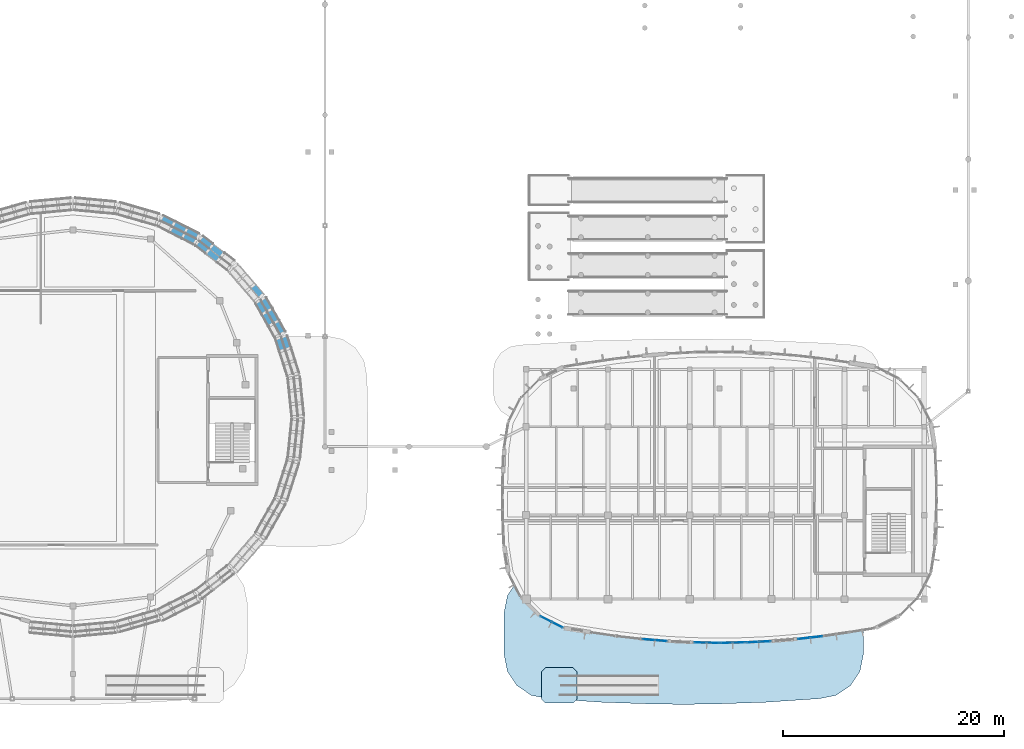
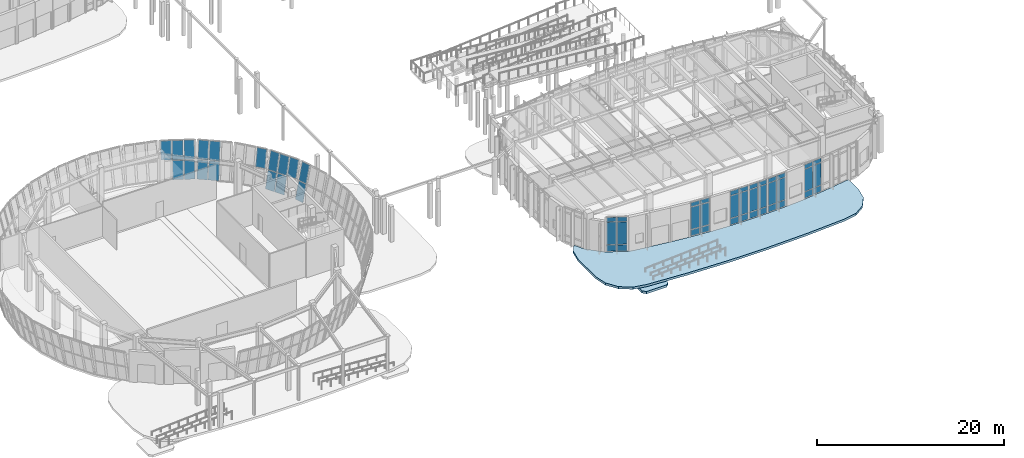
# One storey, part 70 of 120: 53 plates, 2 slabs, 11 elements without a shape of their own.
"""IFC4 building model written with IfcOpenShell, lengths in metres."""

from ifc_helpers import new_model, si_unit, direction, frame, origin, origin_2d, place, context, subcontext, project, spatial, polyline, rectangle, outline, extrude, material, layer, layer_set, type_object, element, aggregate, save


model = new_model("IFC4")

# Units and contexts
model_context = context("Model", 3, precision=1e-05, world=origin(), true_north=direction((0.0, 1.0)))
body_context = subcontext(model_context, "Body", "Model", "MODEL_VIEW")
ifc_project = project(units=[si_unit("LENGTHUNIT", "METRE"), si_unit("AREAUNIT", "SQUARE_METRE"), si_unit("VOLUMEUNIT", "CUBIC_METRE"), si_unit("PLANEANGLEUNIT", "RADIAN"), si_unit("MASSUNIT", "GRAM", prefix="KILO")], contexts=[model_context])

# Site, building, storey
site_placement = place(None, origin())
site = spatial("IfcSite", under=ifc_project, at=site_placement, CompositionType="ELEMENT")
building_placement = place(site_placement, origin())
building = spatial("IfcBuilding", under=site, at=building_placement, Name="Corveleigh Park Community Centre", CompositionType="ELEMENT")
storey_placement = place(building_placement, origin())
storey = spatial("IfcBuildingStorey", under=building, at=storey_placement, Name="L00", CompositionType="ELEMENT", Elevation=0.0)

# Curtain wall, plates
ifc_material_1 = material(Name="Anodised aluminium 6063-T6", Category="aluminium")
curtain_wall_type_1 = type_object("IfcCurtainWallType", Name="CW-SYS-V1-L00", PredefinedType="NOTDEFINED", material=ifc_material_1)
curtain_wall_1_placement = place(storey_placement, origin())
curtain_wall_1 = element("IfcCurtainWall", 1, at=curtain_wall_1_placement, inside=storey, type_object=curtain_wall_type_1, Name="Main Hall Flared Drum CW 2", PredefinedType="NOTDEFINED")
ifc_material_2 = material(Name="Low-E double glazing", Category="glass")
ifc_layer_1 = layer(ifc_material_2, 0.028076171875, Name="Low-E double glazing", Category="glass")
ifc_layer_set_1 = layer_set([ifc_layer_1], Name="Low-E double glazing")
plate_type_1 = type_object("IfcPlateType", Name="CWP-GLZ-28", PredefinedType="CURTAIN_PANEL", material=ifc_layer_set_1)
plate_1_placement = place(storey_placement, frame((49.677001953125, 33.654541015625, 0.074951171875), z_axis=(-0.9242321555, -0.295434433899, 0.241895469173), x_axis=(-0.3044785768, 0.952519184167, -7.959586e-06)))
plate_1 = element("IfcPlate", 2, at=plate_1_placement, type_object=plate_type_1, Name="CW01 panel 3.1", PredefinedType="CURTAIN_PANEL", context=body_context, shape_type="SweptSolid", body=[
    extrude(outline(polyline([(0.0, 0.0), (1.09599468896104, 0.0), (1.0960788222939768, -2.2028803433789186), (-0.0001484152960102378, -2.202862360140468), (0.0, 0.0)])), origin(), (0.0, 0.0, -1.0), 0.028076171875),
])
plate_2_placement = place(storey_placement, frame((50.202392578125, 33.822509765625, 2.28759765625), z_axis=(-0.924221498211, -0.295431027255, 0.241940344671), x_axis=(-0.304478577502, 0.952519183943, -7.96097e-06)))
plate_2 = element("IfcPlate", 3, at=plate_2_placement, type_object=plate_type_1, Name="CW01 panel 3.2", PredefinedType="CURTAIN_PANEL", context=body_context, shape_type="SweptSolid", body=[
    extrude(outline(polyline([(0.0, 0.0), (1.0959946889610537, 0.0), (1.096116891138423, -2.2152349234612396), (-0.00011034645152312231, -2.2152169368866095), (0.0, 0.0)])), origin(), (0.0, 0.0, -1.0), 0.028076171875),
])
aggregate(curtain_wall_1, [plate_1, plate_2])

curtain_wall_2_placement = place(storey_placement, origin())
curtain_wall_2 = element("IfcCurtainWall", 4, at=curtain_wall_2_placement, inside=storey, type_object=curtain_wall_type_1, Name="Main Hall Flared Drum CW 3", PredefinedType="NOTDEFINED")
plate_3_placement = place(storey_placement, frame((49.73779296875, 35.16650390625, 2.28759765625), z_axis=(-0.845514383224, -0.475990108823, 0.241948019345), x_axis=(-0.490565186833, 0.871404497043, 0.0)))
plate_3 = element("IfcPlate", 5, at=plate_3_placement, type_object=plate_type_1, Name="CW01 panel 1.2", PredefinedType="CURTAIN_PANEL", context=body_context, shape_type="SweptSolid", body=[
    extrude(outline(polyline([(0.0, 0.0), (1.1058274890071589, -1.3877787807814457e-17), (1.1058400478215948, -2.21523029913387), (1.255881443598672e-05, -2.21523029913387), (0.0, 0.0)])), origin(), (0.0, 0.0, -1.0), 0.028076171875),
])
plate_4_placement = place(storey_placement, frame((48.67529296875, 35.929443359375, 0.074951171875), z_axis=(-0.845542253451, -0.47594695968, 0.241935506285), x_axis=(-0.49051706919, 0.871431583512, 9.526105e-06)))
plate_4 = element("IfcPlate", 6, at=plate_4_placement, type_object=plate_type_1, Name="CW01 panel 2.1", PredefinedType="CURTAIN_PANEL", context=body_context, shape_type="SweptSolid", body=[
    extrude(outline(polyline([(0.0, 0.0), (1.1458314135351817, 2.7755575615628914e-17), (1.1459347244224856, -2.202882764049645), (-0.00022919610798491697, -2.2029052663285804), (0.0, 0.0)])), origin(), (0.0, 0.0, -1.0), 0.028076171875),
])
plate_5_placement = place(storey_placement, frame((49.156005859375, 36.199951171875, 2.28759765625), z_axis=(-0.845558848019, -0.475911116905, 0.241948017852), x_axis=(-0.490483775951, 0.871450323041, 0.0)))
plate_5 = element("IfcPlate", 7, at=plate_5_placement, type_object=plate_type_1, Name="CW01 panel 2.2", PredefinedType="CURTAIN_PANEL", context=body_context, shape_type="SweptSolid", body=[
    extrude(outline(polyline([(0.0, 0.0), (1.1458314144234052, 1.3877787807814457e-17), (1.14589404492158, -2.2152302982841046), (6.26304981747039e-05, -2.2152302982841046), (0.0, 0.0)])), origin(), (0.0, 0.0, -1.0), 0.028076171875),
])
plate_6_placement = place(storey_placement, frame((48.073974609375, 36.997802734375, 0.074951171875), z_axis=(-0.845588652171, -0.475864519518, 0.241935508726), x_axis=(-0.490441843629, 0.871473922027, -3.5291821e-05)))
plate_6 = element("IfcPlate", 8, at=plate_6_placement, type_object=plate_type_1, Name="CW01 panel 3.1", PredefinedType="CURTAIN_PANEL", context=body_context, shape_type="SweptSolid", body=[
    extrude(outline(polyline([(0.0, 0.0), (1.10582747724177, 1.3877787807814457e-17), (1.1057612570682303, -2.2029342364498605), (-0.00015924558330459486, -2.202853789957711), (0.0, 0.0)])), origin(), (0.0, 0.0, -1.0), 0.028076171875),
])
plate_7_placement = place(storey_placement, frame((48.5546875, 37.268310546875, 2.28759765625), z_axis=(-0.845514383224, -0.475990108823, 0.241948019345), x_axis=(-0.490565186833, 0.871404497043, 0.0)))
plate_7 = element("IfcPlate", 9, at=plate_7_placement, type_object=plate_type_1, Name="CW01 panel 3.2", PredefinedType="CURTAIN_PANEL", context=body_context, shape_type="SweptSolid", body=[
    extrude(outline(polyline([(0.0, 0.0), (1.1058274890071589, -1.3877787807814457e-17), (1.1058400478215948, -2.21523029913387), (1.255881443598672e-05, -2.21523029913387), (0.0, 0.0)])), origin(), (0.0, 0.0, -1.0), 0.028076171875),
])
aggregate(curtain_wall_2, [plate_3, plate_4, plate_5, plate_6, plate_7])

# Curtain wall, plate
curtain_wall_3_placement = place(storey_placement, origin())
curtain_wall_3 = element("IfcCurtainWall", 10, at=curtain_wall_3_placement, inside=storey, type_object=curtain_wall_type_1, Name="Main Hall Flared Drum CW 4", PredefinedType="NOTDEFINED")
plate_8_placement = place(storey_placement, frame((47.8251953125, 38.49853515625, 2.28759765625), z_axis=(-0.734043675867, -0.634539271127, 0.241949985157), x_axis=(-0.653972704978, 0.756518143115, -1.6768558e-05)))
plate_8 = element("IfcPlate", 11, at=plate_8_placement, type_object=plate_type_1, Name="CW01 panel 1.2", PredefinedType="CURTAIN_PANEL", context=body_context, shape_type="SweptSolid", body=[
    extrude(outline(polyline([(0.0, 0.0), (1.1176310078887464, -2.7755575615628914e-17), (1.1176221602716365, -2.2152507333789075), (-0.0001935444293938893, -2.215212100323459), (0.0, 0.0)])), origin(), (0.0, 0.0, -1.0), 0.028076171875),
])
aggregate(curtain_wall_3, [plate_8])

# Curtain wall, plates
curtain_wall_4_placement = place(storey_placement, origin())
curtain_wall_4 = element("IfcCurtainWall", 12, at=curtain_wall_4_placement, inside=storey, type_object=curtain_wall_type_1, Name="Main Hall Flared Drum CW 5", PredefinedType="NOTDEFINED")
plate_9_placement = place(storey_placement, frame((43.973388671875, 41.71826171875, 0.074951171875), z_axis=(-0.596482339223, -0.765301912594, 0.241912797461), x_axis=(-0.788725779809, 0.614745186149, 1.929857e-05)))
plate_9 = element("IfcPlate", 13, at=plate_9_placement, type_object=plate_type_1, Name="CW01 panel 2.1", PredefinedType="CURTAIN_PANEL", context=body_context, shape_type="SweptSolid", body=[
    extrude(outline(polyline([(0.0, 0.0), (1.1710530222090245, 0.0), (1.1709737809597056, -2.2028578704271125), (7.084302464303258e-05, -2.202904450346196), (0.0, 0.0)])), origin(), (0.0, 0.0, -1.0), 0.028076171875),
])
plate_10_placement = place(storey_placement, frame((44.3125, 42.153564453125, 2.28759765625), z_axis=(-0.596426093901, -0.765359536373, 0.241869168348), x_axis=(-0.788779283732, 0.614676534085, 0.0)))
plate_10 = element("IfcPlate", 14, at=plate_10_placement, type_object=plate_type_1, Name="CW01 panel 2.2", PredefinedType="CURTAIN_PANEL", context=body_context, shape_type="SweptSolid", body=[
    extrude(outline(polyline([(0.0, 0.0), (1.1709029425883544, 0.0), (1.1708887401337464, -2.2151854182126107), (-1.4202454607898921e-05, -2.2151854182126107), (0.0, 0.0)])), origin(), (0.0, 0.0, -1.0), 0.028076171875),
])
plate_11_placement = place(storey_placement, frame((42.986572265625, 42.4873046875, 0.074951171875), z_axis=(-0.596481714808, -0.76528939112, 0.241953945492), x_axis=(-0.788724172933, 0.614747248088, 0.0)))
plate_11 = element("IfcPlate", 15, at=plate_11_placement, type_object=plate_type_1, Name="CW01 panel 3.1", PredefinedType="CURTAIN_PANEL", context=body_context, shape_type="SweptSolid", body=[
    extrude(outline(polyline([(0.0, 0.0), (1.1310542701294881, 0.0), (1.131085256733804, -2.20290445324827), (3.098660431552396e-05, -2.20290445324827), (0.0, 0.0)])), origin(), (0.0, 0.0, -1.0), 0.028076171875),
])
plate_12_placement = place(storey_placement, frame((43.32568359375, 42.92236328125, 2.28759765625), z_axis=(-0.596413509751, -0.765336247456, 0.241973869904), x_axis=(-0.788773439249, 0.614684033578, 1.9986989e-05)))
plate_12 = element("IfcPlate", 16, at=plate_12_placement, type_object=plate_type_1, Name="CW01 panel 3.2", PredefinedType="CURTAIN_PANEL", context=body_context, shape_type="SweptSolid", body=[
    extrude(outline(polyline([(0.0, 0.0), (1.1310542662710528, 0.0), (1.130895546687725, -2.215221721697318), (-8.650239192538694e-06, -2.215268316092109), (0.0, 0.0)])), origin(), (0.0, 0.0, -1.0), 0.028076171875),
])
aggregate(curtain_wall_4, [plate_9, plate_10, plate_11, plate_12])

curtain_wall_5_placement = place(storey_placement, origin())
curtain_wall_5 = element("IfcCurtainWall", 17, at=curtain_wall_5_placement, inside=storey, type_object=curtain_wall_type_1, Name="Main Hall Flared Drum CW 6", PredefinedType="NOTDEFINED")
plate_13_placement = place(storey_placement, frame((41.9150390625, 43.2958984375, 0.074951171875), z_axis=(-0.439138543239, -0.86522105617, 0.241970791215), x_axis=(-0.89171981789, 0.452587854877, 0.0)))
plate_13 = element("IfcPlate", 18, at=plate_13_placement, type_object=plate_type_1, Name="CW01 panel 1.1", PredefinedType="CURTAIN_PANEL", context=body_context, shape_type="SweptSolid", body=[
    extrude(outline(polyline([(0.0, 0.0), (1.143057593792787, -1.3877787807814457e-17), (1.1430989447129538, -2.2029139907554027), (4.13509201667152e-05, -2.2029139907554027), (0.0, 0.0)])), origin(), (0.0, 0.0, -1.0), 0.028076171875),
])
plate_14_placement = place(storey_placement, frame((42.164794921875, 43.787841796875, 2.28759765625), z_axis=(-0.439106249554, -0.86526104059, 0.241886405653), x_axis=(-0.891740410048, 0.452547280357, 1.1342872e-05)))
plate_14 = element("IfcPlate", 19, at=plate_14_placement, type_object=plate_type_1, Name="CW01 panel 1.2", PredefinedType="CURTAIN_PANEL", context=body_context, shape_type="SweptSolid", body=[
    extrude(outline(polyline([(0.0, 0.0), (1.1430575925360011, -1.3877787807814457e-17), (1.1431153716190496, -2.2151818650904693), (-0.00015993097799864203, -2.215208592348667), (0.0, 0.0)])), origin(), (0.0, 0.0, -1.0), 0.028076171875),
])
plate_15_placement = place(storey_placement, frame((40.824462890625, 43.849365234375, 0.074951171875), z_axis=(-0.439207231002, -0.865199199981, 0.241924270359), x_axis=(-0.891684194179, 0.452658035812, 2.1595997e-05)))
plate_15 = element("IfcPlate", 20, at=plate_15_placement, type_object=plate_type_1, Name="CW01 panel 2.1", PredefinedType="CURTAIN_PANEL", context=body_context, shape_type="SweptSolid", body=[
    extrude(outline(polyline([(0.0, 0.0), (1.1831296712935693, 0.0), (1.1831486231477375, -2.202861321095805), (0.00012946406994271913, -2.2029139848074624), (0.0, 0.0)])), origin(), (0.0, 0.0, -1.0), 0.028076171875),
])
plate_16_placement = place(storey_placement, frame((41.07421875, 44.34130859375, 2.28759765625), z_axis=(-0.439081052362, -0.865247956125, 0.241978932714), x_axis=(-0.891750644731, 0.452527112449, -1.0961263e-05)))
plate_16 = element("IfcPlate", 21, at=plate_16_placement, type_object=plate_type_1, Name="CW01 panel 2.2", PredefinedType="CURTAIN_PANEL", context=body_context, shape_type="SweptSolid", body=[
    extrude(outline(polyline([(0.0, 0.0), (1.1832368760079799, 0.0), (1.1831273648631346, -2.2152612652653896), (0.0001082014149036857, -2.2152345336873904), (0.0, 0.0)])), origin(), (0.0, 0.0, -1.0), 0.028076171875),
])
plate_17_placement = place(storey_placement, frame((39.94775390625, 44.9130859375, 2.28759765625), z_axis=(-0.439145416311, -0.865234597971, 0.241909887783), x_axis=(-0.89171981789, 0.452587854877, 0.0)))
plate_17 = element("IfcPlate", 22, at=plate_17_placement, type_object=plate_type_1, Name="CW01 panel 3.2", PredefinedType="CURTAIN_PANEL", context=body_context, shape_type="SweptSolid", body=[
    extrude(outline(polyline([(0.0, 0.0), (1.143057593792787, 0.0), (1.1428976653285357, -2.2152085929973557), (-0.0001599284642513632, -2.2152085929973557), (0.0, 0.0)])), origin(), (0.0, 0.0, -1.0), 0.028076171875),
])
aggregate(curtain_wall_5, [plate_13, plate_14, plate_15, plate_16, plate_17])

curtain_wall_type_2 = type_object("IfcCurtainWallType", Name="CW-SYS-V3-L00", PredefinedType="NOTDEFINED", material=ifc_material_1)
curtain_wall_6_placement = place(storey_placement, origin())
curtain_wall_6 = element("IfcCurtainWall", 23, at=curtain_wall_6_placement, inside=storey, type_object=curtain_wall_type_2, Name="V3 L00 Curtain Wall 75", PredefinedType="NOTDEFINED")
plate_18_placement = place(storey_placement, frame((84.194580078125, 7.44384765625, 0.080078125), z_axis=(0.0, 0.0, 1.0), x_axis=(-0.996674671999, 0.081483729643, 0.0)))
plate_18 = element("IfcPlate", 24, at=plate_18_placement, type_object=plate_type_1, Name="CW05 panel 1.1", PredefinedType="CURTAIN_PANEL", context=body_context, shape_type="SweptSolid", body=[
    extrude(rectangle(XDim=1.060791015625, YDim=0.028076171875, at=origin_2d()), origin(), (0.0, 0.0, 1.0), 0.780029296875),
])
plate_19_placement = place(storey_placement, frame((84.194580078125, 7.44384765625, 0.93994140625), z_axis=(0.0, 0.0, 1.0), x_axis=(-0.996674671999, 0.081483729643, 0.0)))
plate_19 = element("IfcPlate", 25, at=plate_19_placement, type_object=plate_type_1, Name="CW05 panel 1.2", PredefinedType="CURTAIN_PANEL", context=body_context, shape_type="SweptSolid", body=[
    extrude(rectangle(XDim=1.060791015625, YDim=0.028076171875, at=origin_2d()), origin(), (0.0, 0.0, 1.0), 2.882080078125),
])
plate_20_placement = place(storey_placement, frame((84.194580078125, 7.44384765625, 3.90185546875), z_axis=(0.0, 0.0, 1.0), x_axis=(-0.996674671999, 0.081483729643, 0.0)))
plate_20 = element("IfcPlate", 26, at=plate_20_placement, type_object=plate_type_1, Name="CW05 panel 1.3", PredefinedType="CURTAIN_PANEL", context=body_context, shape_type="SweptSolid", body=[
    extrude(rectangle(XDim=1.060791015625, YDim=0.028076171875, at=origin_2d()), origin(), (0.0, 0.0, 1.0), 0.530029296875),
])
plate_21_placement = place(storey_placement, frame((83.0673828125, 7.5361328125, 0.080078125), z_axis=(0.0, 0.0, 1.0), x_axis=(-0.996674671999, 0.081483729643, 0.0)))
plate_21 = element("IfcPlate", 27, at=plate_21_placement, type_object=plate_type_1, Name="CW05 panel 2.1", PredefinedType="CURTAIN_PANEL", context=body_context, shape_type="SweptSolid", body=[
    extrude(rectangle(XDim=1.060791015625, YDim=0.028076171875, at=origin_2d()), origin(), (0.0, 0.0, 1.0), 0.780029296875),
])
plate_22_placement = place(storey_placement, frame((83.0673828125, 7.5361328125, 0.93994140625), z_axis=(0.0, 0.0, 1.0), x_axis=(-0.996674671999, 0.081483729643, 0.0)))
plate_22 = element("IfcPlate", 28, at=plate_22_placement, type_object=plate_type_1, Name="CW05 panel 2.2", PredefinedType="CURTAIN_PANEL", context=body_context, shape_type="SweptSolid", body=[
    extrude(rectangle(XDim=1.060791015625, YDim=0.028076171875, at=origin_2d()), origin(), (0.0, 0.0, 1.0), 2.882080078125),
])
plate_23_placement = place(storey_placement, frame((83.0673828125, 7.5361328125, 3.90185546875), z_axis=(0.0, 0.0, 1.0), x_axis=(-0.996674671999, 0.081483729643, 0.0)))
plate_23 = element("IfcPlate", 29, at=plate_23_placement, type_object=plate_type_1, Name="CW05 panel 2.3", PredefinedType="CURTAIN_PANEL", context=body_context, shape_type="SweptSolid", body=[
    extrude(rectangle(XDim=1.060791015625, YDim=0.028076171875, at=origin_2d()), origin(), (0.0, 0.0, 1.0), 0.530029296875),
])
aggregate(curtain_wall_6, [plate_18, plate_19, plate_20, plate_21, plate_22, plate_23])

curtain_wall_7_placement = place(storey_placement, origin())
curtain_wall_7 = element("IfcCurtainWall", 30, at=curtain_wall_7_placement, inside=storey, type_object=curtain_wall_type_2, Name="V3 L00 Curtain Wall 76", PredefinedType="NOTDEFINED")
plate_24_placement = place(storey_placement, frame((88.88916015625, 7.249755859375, 0.06005859375), z_axis=(0.0, 0.0, 1.0), x_axis=(-0.999867262502, 0.016292862768, 0.0)))
plate_24 = element("IfcPlate", 31, at=plate_24_placement, type_object=plate_type_1, Name="CW05 panel 1.1", PredefinedType="CURTAIN_PANEL", context=body_context, shape_type="SweptSolid", body=[
    extrude(rectangle(XDim=1.0537109375, YDim=0.028076171875, at=origin_2d()), origin(), (0.0, 0.0, 1.0), 0.81005859375),
])
plate_25_placement = place(storey_placement, frame((88.88916015625, 7.249755859375, 0.93017578125), z_axis=(0.0, 0.0, 1.0), x_axis=(-0.999867262502, 0.016292862768, 0.0)))
plate_25 = element("IfcPlate", 32, at=plate_25_placement, type_object=plate_type_1, Name="CW05 panel 1.2", PredefinedType="CURTAIN_PANEL", context=body_context, shape_type="SweptSolid", body=[
    extrude(rectangle(XDim=1.0537109375, YDim=0.028076171875, at=origin_2d()), origin(), (0.0, 0.0, 1.0), 2.902099609375),
])
plate_26_placement = place(storey_placement, frame((88.88916015625, 7.249755859375, 3.89208984375), z_axis=(0.0, 0.0, 1.0), x_axis=(-0.999867262502, 0.016292862768, 0.0)))
plate_26 = element("IfcPlate", 33, at=plate_26_placement, type_object=plate_type_1, Name="CW05 panel 1.3", PredefinedType="CURTAIN_PANEL", context=body_context, shape_type="SweptSolid", body=[
    extrude(rectangle(XDim=1.0537109375, YDim=0.028076171875, at=origin_2d()), origin(), (0.0, 0.0, 1.0), 0.56005859375),
])
plate_27_placement = place(storey_placement, frame((87.7607421875, 7.268310546875, 0.06005859375), z_axis=(0.0, 0.0, 1.0), x_axis=(-0.999867262502, 0.016292862768, 0.0)))
plate_27 = element("IfcPlate", 34, at=plate_27_placement, type_object=plate_type_1, Name="CW05 panel 2.1", PredefinedType="CURTAIN_PANEL", context=body_context, shape_type="SweptSolid", body=[
    extrude(rectangle(XDim=1.0537109375, YDim=0.028076171875, at=origin_2d()), origin(), (0.0, 0.0, 1.0), 0.81005859375),
])
plate_28_placement = place(storey_placement, frame((87.7607421875, 7.268310546875, 0.93017578125), z_axis=(0.0, 0.0, 1.0), x_axis=(-0.999867262502, 0.016292862768, 0.0)))
plate_28 = element("IfcPlate", 35, at=plate_28_placement, type_object=plate_type_1, Name="CW05 panel 2.2", PredefinedType="CURTAIN_PANEL", context=body_context, shape_type="SweptSolid", body=[
    extrude(rectangle(XDim=1.0537109375, YDim=0.028076171875, at=origin_2d()), origin(), (0.0, 0.0, 1.0), 2.902099609375),
])
plate_29_placement = place(storey_placement, frame((87.7607421875, 7.268310546875, 3.89208984375), z_axis=(0.0, 0.0, 1.0), x_axis=(-0.999867262502, 0.016292862768, 0.0)))
plate_29 = element("IfcPlate", 36, at=plate_29_placement, type_object=plate_type_1, Name="CW05 panel 2.3", PredefinedType="CURTAIN_PANEL", context=body_context, shape_type="SweptSolid", body=[
    extrude(rectangle(XDim=1.0537109375, YDim=0.028076171875, at=origin_2d()), origin(), (0.0, 0.0, 1.0), 0.56005859375),
])
aggregate(curtain_wall_7, [plate_24, plate_25, plate_26, plate_27, plate_28, plate_29])

curtain_wall_8_placement = place(storey_placement, origin())
curtain_wall_8 = element("IfcCurtainWall", 37, at=curtain_wall_8_placement, inside=storey, type_object=curtain_wall_type_2, Name="V3 L00 Curtain Wall 77", PredefinedType="NOTDEFINED")
ifc_layer_2 = layer(ifc_material_2, 0.031982421875, Name="Low-E double glazing", Category="glass")
ifc_layer_set_2 = layer_set([ifc_layer_2], Name="Low-E double glazing")
plate_type_2 = type_object("IfcPlateType", Name="CWP-GLZ-32", PredefinedType="CURTAIN_PANEL", material=ifc_layer_set_2)
plate_30_placement = place(storey_placement, frame((91.238037109375, 7.26806640625, 0.06494140625), z_axis=(0.0, 0.0, 1.0), x_axis=(-0.999867262502, -0.016292862768, 0.0)))
plate_30 = element("IfcPlate", 38, at=plate_30_placement, type_object=plate_type_2, Name="CW05 panel 1.1", PredefinedType="CURTAIN_PANEL", context=body_context, shape_type="SweptSolid", body=[
    extrude(rectangle(XDim=1.046142578125, YDim=0.031982421875, at=origin_2d()), origin(), (0.0, 0.0, 1.0), 0.802490234375),
])
plate_31_placement = place(storey_placement, frame((91.238037109375, 7.26806640625, 0.9326171875), z_axis=(0.0, 0.0, 1.0), x_axis=(-0.999867262502, -0.016292862768, 0.0)))
plate_31 = element("IfcPlate", 39, at=plate_31_placement, type_object=plate_type_2, Name="CW05 panel 1.2", PredefinedType="CURTAIN_PANEL", context=body_context, shape_type="SweptSolid", body=[
    extrude(rectangle(XDim=1.046142578125, YDim=0.031982421875, at=origin_2d()), origin(), (0.0, 0.0, 1.0), 2.89697265625),
])
plate_32_placement = place(storey_placement, frame((91.238037109375, 7.26806640625, 3.89453125), z_axis=(0.0, 0.0, 1.0), x_axis=(-0.999867262502, -0.016292862768, 0.0)))
plate_32 = element("IfcPlate", 40, at=plate_32_placement, type_object=plate_type_2, Name="CW05 panel 1.3", PredefinedType="CURTAIN_PANEL", context=body_context, shape_type="SweptSolid", body=[
    extrude(rectangle(XDim=1.046142578125, YDim=0.031982421875, at=origin_2d()), origin(), (0.0, 0.0, 1.0), 0.552490234375),
])
plate_33_placement = place(storey_placement, frame((90.112060546875, 7.249755859375, 0.06494140625), z_axis=(0.0, 0.0, 1.0), x_axis=(-0.999867262502, -0.016292862768, 0.0)))
plate_33 = element("IfcPlate", 41, at=plate_33_placement, type_object=plate_type_2, Name="CW05 panel 2.1", PredefinedType="CURTAIN_PANEL", context=body_context, shape_type="SweptSolid", body=[
    extrude(rectangle(XDim=1.046142578125, YDim=0.031982421875, at=origin_2d()), origin(), (0.0, 0.0, 1.0), 0.802490234375),
])
plate_34_placement = place(storey_placement, frame((90.112060546875, 7.249755859375, 0.9326171875), z_axis=(0.0, 0.0, 1.0), x_axis=(-0.999867262502, -0.016292862768, 0.0)))
plate_34 = element("IfcPlate", 42, at=plate_34_placement, type_object=plate_type_2, Name="CW05 panel 2.2", PredefinedType="CURTAIN_PANEL", context=body_context, shape_type="SweptSolid", body=[
    extrude(rectangle(XDim=1.046142578125, YDim=0.031982421875, at=origin_2d()), origin(), (0.0, 0.0, 1.0), 2.89697265625),
])
plate_35_placement = place(storey_placement, frame((90.112060546875, 7.249755859375, 3.89453125), z_axis=(0.0, 0.0, 1.0), x_axis=(-0.999867262502, -0.016292862768, 0.0)))
plate_35 = element("IfcPlate", 43, at=plate_35_placement, type_object=plate_type_2, Name="CW05 panel 2.3", PredefinedType="CURTAIN_PANEL", context=body_context, shape_type="SweptSolid", body=[
    extrude(rectangle(XDim=1.046142578125, YDim=0.031982421875, at=origin_2d()), origin(), (0.0, 0.0, 1.0), 0.552490234375),
])
aggregate(curtain_wall_8, [plate_30, plate_31, plate_32, plate_33, plate_34, plate_35])

curtain_wall_9_placement = place(storey_placement, origin())
curtain_wall_9 = element("IfcCurtainWall", 44, at=curtain_wall_9_placement, inside=storey, type_object=curtain_wall_type_2, Name="V3 L00 Curtain Wall 78", PredefinedType="NOTDEFINED")
plate_36_placement = place(storey_placement, frame((93.585205078125, 7.364013671875, 0.070068359375), z_axis=(0.0, 0.0, 1.0), x_axis=(-0.998763005613, -0.049723823459, 0.0)))
plate_36 = element("IfcPlate", 45, at=plate_36_placement, type_object=plate_type_2, Name="CW05 panel 1.1", PredefinedType="CURTAIN_PANEL", context=body_context, shape_type="SweptSolid", body=[
    extrude(rectangle(XDim=1.0390625, YDim=0.031982421875, at=origin_2d()), origin(), (0.0, 0.0, 1.0), 0.794921875),
])
plate_37_placement = place(storey_placement, frame((93.585205078125, 7.364013671875, 0.93505859375), z_axis=(0.0, 0.0, 1.0), x_axis=(-0.998763005613, -0.049723823459, 0.0)))
plate_37 = element("IfcPlate", 46, at=plate_37_placement, type_object=plate_type_2, Name="CW05 panel 1.2", PredefinedType="CURTAIN_PANEL", context=body_context, shape_type="SweptSolid", body=[
    extrude(rectangle(XDim=1.0390625, YDim=0.031982421875, at=origin_2d()), origin(), (0.0, 0.0, 1.0), 2.89208984375),
])
plate_38_placement = place(storey_placement, frame((93.585205078125, 7.364013671875, 3.89697265625), z_axis=(0.0, 0.0, 1.0), x_axis=(-0.998763005613, -0.049723823459, 0.0)))
plate_38 = element("IfcPlate", 47, at=plate_38_placement, type_object=plate_type_2, Name="CW05 panel 1.3", PredefinedType="CURTAIN_PANEL", context=body_context, shape_type="SweptSolid", body=[
    extrude(rectangle(XDim=1.0390625, YDim=0.031982421875, at=origin_2d()), origin(), (0.0, 0.0, 1.0), 0.544921875),
])
plate_39_placement = place(storey_placement, frame((92.462646484375, 7.30810546875, 0.070068359375), z_axis=(0.0, 0.0, 1.0), x_axis=(-0.998763005613, -0.049723823459, 0.0)))
plate_39 = element("IfcPlate", 48, at=plate_39_placement, type_object=plate_type_2, Name="CW05 panel 2.1", PredefinedType="CURTAIN_PANEL", context=body_context, shape_type="SweptSolid", body=[
    extrude(rectangle(XDim=1.0390625, YDim=0.031982421875, at=origin_2d()), origin(), (0.0, 0.0, 1.0), 0.794921875),
])
plate_40_placement = place(storey_placement, frame((92.462646484375, 7.30810546875, 0.93505859375), z_axis=(0.0, 0.0, 1.0), x_axis=(-0.998763005613, -0.049723823459, 0.0)))
plate_40 = element("IfcPlate", 49, at=plate_40_placement, type_object=plate_type_2, Name="CW05 panel 2.2", PredefinedType="CURTAIN_PANEL", context=body_context, shape_type="SweptSolid", body=[
    extrude(rectangle(XDim=1.0390625, YDim=0.031982421875, at=origin_2d()), origin(), (0.0, 0.0, 1.0), 2.89208984375),
])
plate_41_placement = place(storey_placement, frame((92.462646484375, 7.30810546875, 3.89697265625), z_axis=(0.0, 0.0, 1.0), x_axis=(-0.998763005613, -0.049723823459, 0.0)))
plate_41 = element("IfcPlate", 50, at=plate_41_placement, type_object=plate_type_2, Name="CW05 panel 2.3", PredefinedType="CURTAIN_PANEL", context=body_context, shape_type="SweptSolid", body=[
    extrude(rectangle(XDim=1.0390625, YDim=0.031982421875, at=origin_2d()), origin(), (0.0, 0.0, 1.0), 0.544921875),
])
aggregate(curtain_wall_9, [plate_36, plate_37, plate_38, plate_39, plate_40, plate_41])

curtain_wall_10_placement = place(storey_placement, origin())
curtain_wall_10 = element("IfcCurtainWall", 51, at=curtain_wall_10_placement, inside=storey, type_object=curtain_wall_type_2, Name="V3 L00 Curtain Wall 79", PredefinedType="NOTDEFINED")
ifc_layer_3 = layer(ifc_material_2, 0.035888671875, Name="Low-E double glazing", Category="glass")
ifc_layer_set_3 = layer_set([ifc_layer_3], Name="Low-E double glazing")
plate_type_3 = type_object("IfcPlateType", Name="CWP-GLZ-36", PredefinedType="CURTAIN_PANEL", material=ifc_layer_set_3)
plate_42_placement = place(storey_placement, frame((98.271728515625, 7.78564453125, 0.074951171875), z_axis=(0.0, 0.0, 1.0), x_axis=(-0.993425824915, -0.114477641449, 0.0)))
plate_42 = element("IfcPlate", 52, at=plate_42_placement, type_object=plate_type_3, Name="CW05 panel 1.1", PredefinedType="CURTAIN_PANEL", context=body_context, shape_type="SweptSolid", body=[
    extrude(rectangle(XDim=1.076171875, YDim=0.035888671875, at=origin_2d()), origin(), (0.0, 0.0, 1.0), 0.78759765625),
])
plate_43_placement = place(storey_placement, frame((98.271728515625, 7.78564453125, 0.9375), z_axis=(0.0, 0.0, 1.0), x_axis=(-0.993425824915, -0.114477641449, 0.0)))
plate_43 = element("IfcPlate", 53, at=plate_43_placement, type_object=plate_type_3, Name="CW05 panel 1.2", PredefinedType="CURTAIN_PANEL", context=body_context, shape_type="SweptSolid", body=[
    extrude(rectangle(XDim=1.076171875, YDim=0.035888671875, at=origin_2d()), origin(), (0.0, 0.0, 1.0), 2.886962890625),
])
plate_44_placement = place(storey_placement, frame((98.271728515625, 7.78564453125, 3.8994140625), z_axis=(0.0, 0.0, 1.0), x_axis=(-0.993425824915, -0.114477641449, 0.0)))
plate_44 = element("IfcPlate", 54, at=plate_44_placement, type_object=plate_type_3, Name="CW05 panel 1.3", PredefinedType="CURTAIN_PANEL", context=body_context, shape_type="SweptSolid", body=[
    extrude(rectangle(XDim=1.076171875, YDim=0.035888671875, at=origin_2d()), origin(), (0.0, 0.0, 1.0), 0.53759765625),
])
plate_45_placement = place(storey_placement, frame((97.14306640625, 7.655517578125, 0.074951171875), z_axis=(0.0, 0.0, 1.0), x_axis=(-0.993425824915, -0.114477641449, 0.0)))
plate_45 = element("IfcPlate", 55, at=plate_45_placement, type_object=plate_type_3, Name="CW05 panel 2.1", PredefinedType="CURTAIN_PANEL", context=body_context, shape_type="SweptSolid", body=[
    extrude(rectangle(XDim=1.076171875, YDim=0.035888671875, at=origin_2d()), origin(), (0.0, 0.0, 1.0), 0.78759765625),
])
plate_46_placement = place(storey_placement, frame((97.14306640625, 7.655517578125, 0.9375), z_axis=(0.0, 0.0, 1.0), x_axis=(-0.993425824915, -0.114477641449, 0.0)))
plate_46 = element("IfcPlate", 56, at=plate_46_placement, type_object=plate_type_3, Name="CW05 panel 2.2", PredefinedType="CURTAIN_PANEL", context=body_context, shape_type="SweptSolid", body=[
    extrude(rectangle(XDim=1.076171875, YDim=0.035888671875, at=origin_2d()), origin(), (0.0, 0.0, 1.0), 2.886962890625),
])
plate_47_placement = place(storey_placement, frame((97.14306640625, 7.655517578125, 3.8994140625), z_axis=(0.0, 0.0, 1.0), x_axis=(-0.993425824915, -0.114477641449, 0.0)))
plate_47 = element("IfcPlate", 57, at=plate_47_placement, type_object=plate_type_3, Name="CW05 panel 2.3", PredefinedType="CURTAIN_PANEL", context=body_context, shape_type="SweptSolid", body=[
    extrude(rectangle(XDim=1.076171875, YDim=0.035888671875, at=origin_2d()), origin(), (0.0, 0.0, 1.0), 0.53759765625),
])
aggregate(curtain_wall_10, [plate_42, plate_43, plate_44, plate_45, plate_46, plate_47])

curtain_wall_11_placement = place(storey_placement, origin())
curtain_wall_11 = element("IfcCurtainWall", 58, at=curtain_wall_11_placement, inside=storey, type_object=curtain_wall_type_2, Name="V3 L00 Curtain Wall 107", PredefinedType="NOTDEFINED")
ifc_layer_4 = layer(ifc_material_2, 0.0439453125, Name="Low-E double glazing", Category="glass")
ifc_layer_set_4 = layer_set([ifc_layer_4], Name="Low-E double glazing")
plate_type_4 = type_object("IfcPlateType", Name="CWP-GLZ-44", PredefinedType="CURTAIN_PANEL", material=ifc_layer_set_4)
plate_48_placement = place(storey_placement, frame((74.8115234375, 8.87646484375, 0.06494140625), z_axis=(0.0, 0.0, 1.0), x_axis=(-0.890932984411, 0.45413480079, 0.0)))
plate_48 = element("IfcPlate", 59, at=plate_48_placement, type_object=plate_type_4, Name="CW05 panel 1.1", PredefinedType="CURTAIN_PANEL", context=body_context, shape_type="SweptSolid", body=[
    extrude(rectangle(XDim=1.0625, YDim=0.0439453125, at=origin_2d()), origin(), (0.0, 0.0, 1.0), 0.802490234375),
])
plate_49_placement = place(storey_placement, frame((74.8115234375, 8.87646484375, 0.9326171875), z_axis=(0.0, 0.0, 1.0), x_axis=(-0.890932984411, 0.45413480079, 0.0)))
plate_49 = element("IfcPlate", 60, at=plate_49_placement, type_object=plate_type_4, Name="CW05 panel 1.2", PredefinedType="CURTAIN_PANEL", context=body_context, shape_type="SweptSolid", body=[
    extrude(rectangle(XDim=1.0625, YDim=0.0439453125, at=origin_2d()), origin(), (0.0, 0.0, 1.0), 2.927001953125),
])
plate_50_placement = place(storey_placement, frame((74.8115234375, 8.87646484375, 3.92431640625), z_axis=(0.0, 0.0, 1.0), x_axis=(-0.890932984411, 0.45413480079, 0.0)))
plate_50 = element("IfcPlate", 61, at=plate_50_placement, type_object=plate_type_4, Name="CW05 panel 1.3", PredefinedType="CURTAIN_PANEL", context=body_context, shape_type="SweptSolid", body=[
    extrude(rectangle(XDim=1.0625, YDim=0.0439453125, at=origin_2d()), origin(), (0.0, 0.0, 1.0), 0.552490234375),
])
plate_51_placement = place(storey_placement, frame((73.79345703125, 9.3955078125, 0.06494140625), z_axis=(0.0, 0.0, 1.0), x_axis=(-0.890932984411, 0.45413480079, 0.0)))
plate_51 = element("IfcPlate", 62, at=plate_51_placement, type_object=plate_type_4, Name="CW05 panel 2.1", PredefinedType="CURTAIN_PANEL", context=body_context, shape_type="SweptSolid", body=[
    extrude(rectangle(XDim=1.0625, YDim=0.0439453125, at=origin_2d()), origin(), (0.0, 0.0, 1.0), 0.802490234375),
])
plate_52_placement = place(storey_placement, frame((73.79345703125, 9.3955078125, 0.9326171875), z_axis=(0.0, 0.0, 1.0), x_axis=(-0.890932984411, 0.45413480079, 0.0)))
plate_52 = element("IfcPlate", 63, at=plate_52_placement, type_object=plate_type_4, Name="CW05 panel 2.2", PredefinedType="CURTAIN_PANEL", context=body_context, shape_type="SweptSolid", body=[
    extrude(rectangle(XDim=1.0625, YDim=0.0439453125, at=origin_2d()), origin(), (0.0, 0.0, 1.0), 2.927001953125),
])
plate_53_placement = place(storey_placement, frame((73.79345703125, 9.3955078125, 3.92431640625), z_axis=(0.0, 0.0, 1.0), x_axis=(-0.890932984411, 0.45413480079, 0.0)))
plate_53 = element("IfcPlate", 64, at=plate_53_placement, type_object=plate_type_4, Name="CW05 panel 2.3", PredefinedType="CURTAIN_PANEL", context=body_context, shape_type="SweptSolid", body=[
    extrude(rectangle(XDim=1.0625, YDim=0.0439453125, at=origin_2d()), origin(), (0.0, 0.0, 1.0), 0.552490234375),
])
aggregate(curtain_wall_11, [plate_48, plate_49, plate_50, plate_51, plate_52, plate_53])

# Slabs
ifc_material_3 = material(Name="Concrete C32/40", Category="concrete")
ifc_layer_5 = layer(ifc_material_3, 0.2900390625, Name="Concrete C32/40", Category="concrete")
ifc_layer_set_5 = layer_set([ifc_layer_5], Name="Concrete C32/40")
slab_type = type_object("IfcSlabType", Name="SLB-APR-290", PredefinedType="FLOOR", material=ifc_layer_set_5)
slab_1_placement = place(storey_placement, frame((0.0, 0.0, -0.2900390625)))
element("IfcSlab", 65, at=slab_1_placement, inside=storey, type_object=slab_type, Name="Dining Hall Park Apron", PredefinedType="FLOOR", context=body_context, shape_type="SweptSolid", body=[
    extrude(outline(polyline([(102.510986328125, 8.3720703125), (102.5, 6.199951171875), (102.196044921875, 4.6689453125), (101.327880859375, 3.3720703125), (100.031005859375, 2.50390625), (98.5, 2.199951171875), (93.60498046875, 1.8720703125), (88.702880859375, 1.7080078125), (86.25, 1.68798828125), (83.797119140625, 1.7080078125), (78.89501953125, 1.8720703125), (74.0, 2.199951171875), (72.468994140625, 2.50390625), (71.172119140625, 3.3720703125), (70.303955078125, 4.6689453125), (70.0, 6.199951171875), (70.0, 10.0), (70.303955078125, 11.531005859375), (70.922119140625, 12.4541015625), (71.462890625, 11.39208984375), (73.197021484375, 9.659912109375), (75.3779296875, 8.549072265625), (77.794921875, 8.1650390625), (80.12109375, 7.820068359375), (82.45703125, 7.551025390625), (84.800048828125, 7.35888671875), (87.14794921875, 7.242919921875), (89.5009765625, 7.205078125), (91.85205078125, 7.242919921875), (94.199951171875, 7.35888671875), (96.54296875, 7.551025390625), (98.8798828125, 7.820068359375), (102.510986328125, 8.3720703125)])), origin(), (0.0, 0.0, 1.0), 0.2900390625),
])
slab_2_placement = place(storey_placement, frame((0.0, 0.0, -0.889892578125)))
element("IfcSlab", 66, at=slab_2_placement, inside=storey, type_object=slab_type, Name="Ramp RM3 lower landing", PredefinedType="FLOOR", context=body_context, shape_type="SweptSolid", body=[
    extrude(outline(polyline([(73.75, 1.800048828125), (76.25, 1.800048828125), (76.60009765625, 2.14990234375), (76.60009765625, 4.64990234375), (76.25, 5.0), (73.75, 5.0), (73.39990234375, 4.64990234375), (73.39990234375, 2.14990234375), (73.75, 1.800048828125)])), origin(), (0.0, 0.0, 1.0), 0.289794921875),
])

save(model, "model.ifc")
